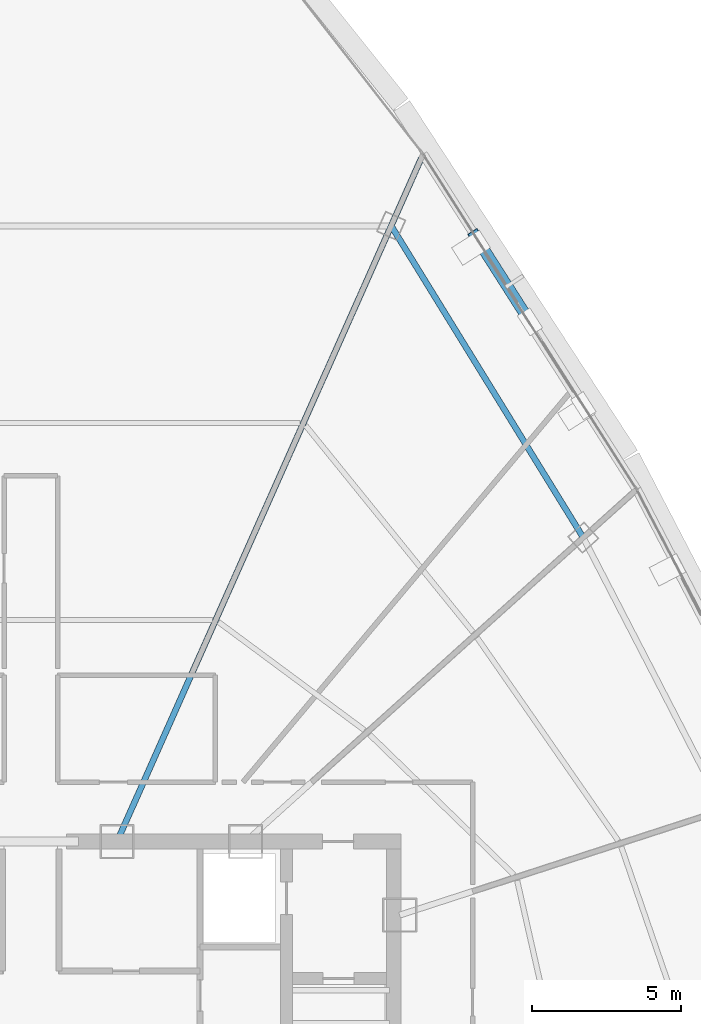
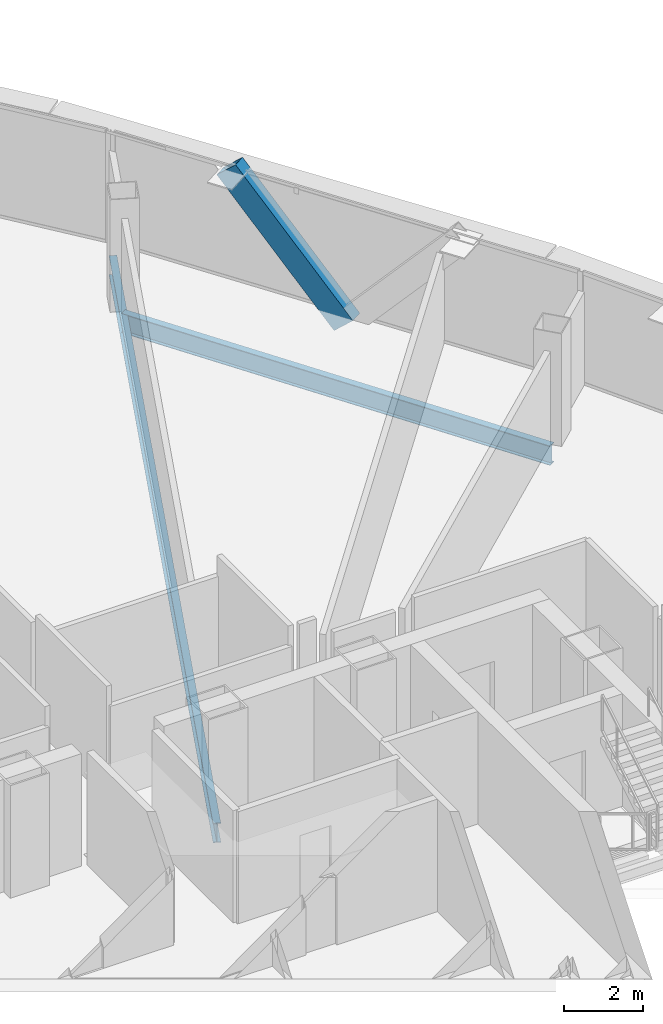
# One storey, part 25 of 39: 2 beams, 1 member.
"""IFC4 building model written with IfcOpenShell, lengths in metres."""

import ifcopenshell
import ifcopenshell.guid

model = None  # the IFC model being written
_history = None  # IfcOwnerHistory: only IFC2X3 demands one
_inside = {}  # id of a spatial element -> (the spatial element, [elements in it])
_under = {}  # id of a project, library or spatial element -> (it, [spatial elements below it])
_declared = {}  # id of a project -> (the project, [libraries it declares])
_typed = {}  # id of a type object -> (the type object, [elements of that type])
_made_of = {}  # id of a material, layer set ... -> (it, [elements and type objects made of it])


def new_model(schema):
    """Start an empty IFC model of exactly this schema.

    Asked for "IFC4X3", IfcOpenShell would pick the latest addendum, in which some entities
    have other attributes; the version numbers below select the first issue.
    IFC2X3 requires an IfcOwnerHistory on every rooted entity: one is made here for all.
    """
    global model, _history
    if schema == "IFC4X3":
        model = ifcopenshell.file(schema_version=(4, 3, 0, 0))
    else:
        model = ifcopenshell.file(schema=schema)
    _inside.clear()
    _under.clear()
    _declared.clear()
    _typed.clear()
    _made_of.clear()
    _history = None
    if model.schema == "IFC2X3":
        org = make("IfcOrganization", Name="unknown")
        user = make(
            "IfcPersonAndOrganization",
            ThePerson=make("IfcPerson", FamilyName="unknown"),
            TheOrganization=org,
        )
        app = make(
            "IfcApplication",
            ApplicationDeveloper=org,
            Version="unknown",
            ApplicationFullName="unknown",
            ApplicationIdentifier="unknown",
        )
        _history = make(
            "IfcOwnerHistory",
            OwningUser=user,
            OwningApplication=app,
            ChangeAction="ADDED",
            CreationDate=0,
        )
    return model


def make(cls, **values):
    """One entity of the class cls with the attributes given. An attribute that is None is left unset."""
    return model.create_entity(
        cls, **{name: value for name, value in values.items() if value is not None}
    )


def rooted(cls, **values):
    """An entity with a GlobalId (a new one), such as an element, a storey or a relation."""
    return make(cls, GlobalId=ifcopenshell.guid.new(), OwnerHistory=_history, **values)


def si_unit(unit_type, name, prefix=None):
    """IfcSIUnit, for example si_unit("LENGTHUNIT", "METRE", prefix="MILLI")."""
    return make("IfcSIUnit", UnitType=unit_type, Prefix=prefix, Name=name)


def assignment(units):
    """IfcUnitAssignment: the units of a project."""
    return None if units is None else make("IfcUnitAssignment", Units=units)


def point(xyz):
    """IfcCartesianPoint."""
    return None if xyz is None else make("IfcCartesianPoint", Coordinates=xyz)


def direction(xyz):
    """IfcDirection."""
    return None if xyz is None else make("IfcDirection", DirectionRatios=xyz)


def frame(location, z_axis=None, x_axis=None):
    """IfcAxis2Placement3D, a coordinate frame: its origin and axes. An axis left out is left unset."""
    return make(
        "IfcAxis2Placement3D",
        Location=point(location),
        Axis=direction(z_axis),
        RefDirection=direction(x_axis),
    )


def frame_2d(location, x_axis=None):
    """IfcAxis2Placement2D, a coordinate frame in the plane: its origin and x axis."""
    return make(
        "IfcAxis2Placement2D", Location=point(location), RefDirection=direction(x_axis)
    )


def origin():
    """The frame at (0, 0, 0) with its axes left unset."""
    return frame((0.0, 0.0, 0.0))


def origin_2d():
    """The frame at (0, 0) in the plane with its x axis left unset."""
    return frame_2d((0.0, 0.0))


def place(relative_to, where):
    """IfcLocalPlacement: puts the frame where relative to a parent placement (None: the world)."""
    return make(
        "IfcLocalPlacement", PlacementRelTo=relative_to, RelativePlacement=where
    )


def context(
    kind, dimensions, precision=None, world=None, true_north=None, identifier=None
):
    """IfcGeometricRepresentationContext, for example the 3D "Model" context."""
    return make(
        "IfcGeometricRepresentationContext",
        ContextIdentifier=identifier,
        ContextType=kind,
        CoordinateSpaceDimension=dimensions,
        Precision=precision,
        WorldCoordinateSystem=world,
        TrueNorth=true_north,
    )


def subcontext(parent, identifier, kind, view, scale=None):
    """IfcGeometricRepresentationSubContext, for example "Body" below "Model"."""
    return make(
        "IfcGeometricRepresentationSubContext",
        ContextIdentifier=identifier,
        ContextType=kind,
        ParentContext=parent,
        TargetScale=scale,
        TargetView=view,
    )


def project(units=None, contexts=None):
    """IfcProject with its units and contexts."""
    return rooted(
        "IfcProject",
        Name="project",
        RepresentationContexts=contexts,
        UnitsInContext=assignment(units),
    )


def spatial(cls, under=None, at=None, **own):
    """A site, building, storey or space (cls), placed at a placement, below another one or the project."""
    s = rooted(cls, ObjectPlacement=at, **own)
    if under is not None:
        _under.setdefault(under.id(), (under, []))[1].append(s)
    return s


def profile(cls, at=None, kind="AREA", **sizes):
    """A parametric profile (cls). Its sizes go by their IFC names, for example OverallWidth=200.0."""
    return make(cls, ProfileType=kind, Position=at, **sizes)


def hollow_rectangle(**sizes):
    """IfcRectangleHollowProfileDef."""
    return profile("IfcRectangleHollowProfileDef", **sizes)


def i_section(**sizes):
    """IfcIShapeProfileDef."""
    return profile("IfcIShapeProfileDef", **sizes)


def extrude(swept, where, along, depth):
    """IfcExtrudedAreaSolid: the profile swept, set in the frame where, extruded along a direction by depth."""
    return make(
        "IfcExtrudedAreaSolid",
        SweptArea=swept,
        Position=where,
        ExtrudedDirection=direction(along),
        Depth=depth,
    )


def shape(context_of_items, identifier, shape_type, items):
    """IfcShapeRepresentation: the items that make up one representation, for example the "Body"."""
    return make(
        "IfcShapeRepresentation",
        ContextOfItems=context_of_items,
        RepresentationIdentifier=identifier,
        RepresentationType=shape_type,
        Items=items,
    )


def source(mapping_origin, context_of_items, identifier, shape_type, items):
    """IfcRepresentationMap: a shape defined once, which mapped items show again and again."""
    return make(
        "IfcRepresentationMap",
        MappingOrigin=mapping_origin,
        MappedRepresentation=shape(context_of_items, identifier, shape_type, items),
    )


def transform(
    local_origin,
    x_axis=None,
    y_axis=None,
    z_axis=None,
    scale=None,
    scale2=None,
    scale3=None,
    uniform=True,
):
    """IfcCartesianTransformationOperator3D, or its non-uniform kind. x_axis, y_axis, z_axis: its Axis1, 2, 3."""
    if uniform:
        return make(
            "IfcCartesianTransformationOperator3D",
            Axis1=direction(x_axis),
            Axis2=direction(y_axis),
            LocalOrigin=point(local_origin),
            Scale=scale,
            Axis3=direction(z_axis),
        )
    return make(
        "IfcCartesianTransformationOperator3DnonUniform",
        Axis1=direction(x_axis),
        Axis2=direction(y_axis),
        LocalOrigin=point(local_origin),
        Scale=scale,
        Axis3=direction(z_axis),
        Scale2=scale2,
        Scale3=scale3,
    )


def mapped(mapping_source, mapping_target):
    """IfcMappedItem: shows the shape of a source again, moved by a transform."""
    return make(
        "IfcMappedItem", MappingSource=mapping_source, MappingTarget=mapping_target
    )


def material(Name=None, Category=None):
    """IfcMaterial."""
    return make("IfcMaterial", Name=Name, Category=Category)


def material_profile(
    of_material, cross_section, Name=None, Category=None, Priority=None
):
    """IfcMaterialProfile: a cross section and its material."""
    return make(
        "IfcMaterialProfile",
        Name=Name,
        Material=of_material,
        Profile=cross_section,
        Priority=Priority,
        Category=Category,
    )


def profile_set(profiles, Name=None, composite=None):
    """IfcMaterialProfileSet."""
    return make(
        "IfcMaterialProfileSet",
        Name=Name,
        MaterialProfiles=profiles,
        CompositeProfile=composite,
    )


def made_of(thing, what):
    """Note that an element or type object is made of a material, layer set ...; save() writes the relation."""
    if what is not None:
        _made_of.setdefault(what.id(), (what, []))[1].append(thing)
    return thing


def type_object(cls, material=None, **own):
    """A type object (cls), such as IfcWallType, which elements share."""
    return made_of(rooted(cls, **own), material)


def element(
    cls,
    number,
    at=None,
    inside=None,
    cuts=None,
    type_object=None,
    material=None,
    context=None,
    identifier="Body",
    shape_type=None,
    held_by="IfcProductDefinitionShape",
    body=None,
    shapes=None,
    **own,
):
    """One element of the class cls, such as IfcWall. Its Tag is "e" and its number.

    at: its placement. inside: the storey or other place that contains it. cuts: it is an
    opening in that element (IfcRelVoidsElement). A single representation is given by context,
    identifier, shape_type and body (its items); several are given by shapes. held_by: the class
    of the entity that holds the representations. save() writes the other relations.
    """
    e = rooted(cls, Tag="e%d" % number, ObjectPlacement=at, **own)
    if body is not None:
        shapes = [shape(context, identifier, shape_type, body)]
    if shapes is not None:
        e.Representation = make(held_by, Representations=shapes)
    if inside is not None:
        _inside.setdefault(inside.id(), (inside, []))[1].append(e)
    if cuts is not None:
        rooted(
            "IfcRelVoidsElement", RelatingBuildingElement=cuts, RelatedOpeningElement=e
        )
    if type_object is not None:
        _typed.setdefault(type_object.id(), (type_object, []))[1].append(e)
    return made_of(e, material)


def aggregate(whole, parts):
    """IfcRelAggregates: a whole, such as a stair, and the parts it consists of."""
    return rooted("IfcRelAggregates", RelatingObject=whole, RelatedObjects=parts)


def save(model, path):
    """Write the relations noted so far, then the file.

    IfcRelAggregates (storeys below a building ...), IfcRelContainedInSpatialStructure (elements
    in a storey), IfcRelDefinesByType, IfcRelAssociatesMaterial and IfcRelDeclares: one each for
    every whole, place, type object, material and project.
    """
    for whole, parts in _under.values():
        aggregate(whole, parts)
    for where, things in _inside.values():
        rooted(
            "IfcRelContainedInSpatialStructure",
            RelatedElements=things,
            RelatingStructure=where,
        )
    for kind, things in _typed.values():
        rooted("IfcRelDefinesByType", RelatedObjects=things, RelatingType=kind)
    for what, things in _made_of.values():
        rooted("IfcRelAssociatesMaterial", RelatedObjects=things, RelatingMaterial=what)
    for by, libraries in _declared.values():
        rooted("IfcRelDeclares", RelatingContext=by, RelatedDefinitions=libraries)
    model.write(path)


model = new_model("IFC4")

# Units and contexts
model_context = context("Model", 3, precision=1e-05, world=origin(), true_north=direction((0.0, 1.0)))
body_context = subcontext(model_context, "Body", "Model", "MODEL_VIEW")
ifc_project = project(units=[si_unit("LENGTHUNIT", "METRE"), si_unit("AREAUNIT", "SQUARE_METRE"), si_unit("VOLUMEUNIT", "CUBIC_METRE"), si_unit("PLANEANGLEUNIT", "RADIAN"), si_unit("MASSUNIT", "GRAM", prefix="KILO"), si_unit("THERMODYNAMICTEMPERATUREUNIT", "KELVIN"), si_unit("POWERUNIT", "WATT")], contexts=[model_context])

# Site, building, storey
site_placement = place(None, origin())
site = spatial("IfcSite", under=ifc_project, at=site_placement, CompositionType="ELEMENT")
building_placement = place(site_placement, origin())
building = spatial("IfcBuilding", under=site, at=building_placement, Name="Yunzhuo Pagoda Commons", CompositionType="ELEMENT")
storey_placement = place(building_placement, frame((0.0, 0.0, 296.2099609375)))
storey = spatial("IfcBuildingStorey", under=building, at=storey_placement, Name="L74", CompositionType="ELEMENT", Elevation=296.2099609375)

# Beams
ifc_material = material(Name="Structural steel Q355B", Category="steel")
ifc_material_profile_1 = material_profile(ifc_material, i_section(OverallWidth=0.199951171875, OverallDepth=0.60009765625, WebThickness=0.010986328125, FlangeThickness=0.01708984375, at=origin_2d()), Name="Structural steel Q355B")
ifc_profile_set_1 = profile_set([ifc_material_profile_1], Name="Structural steel Q355B")
beam_type = type_object("IfcBeamType", Name="B-RG3 Beam HN 600x200x11x17", PredefinedType="BEAM", material=ifc_profile_set_1)
shared_shape_1 = source(origin(), body_context, "Body", "SweptSolid", [
    extrude(i_section(OverallWidth=0.199951171875, OverallDepth=0.60009765625, WebThickness=0.010986328125, FlangeThickness=0.01708984375, at=origin_2d()), origin(), (0.0, 0.0, 1.0), 12.315185546875),
])
beam_1_placement = place(storey_placement, frame((66.5732421875, 50.423583984375, -0.56005859375), z_axis=(-0.524469015689, 0.851429534126, 0.0), x_axis=(-0.851429534126, -0.524469015689, 0.0)))
element("IfcBeam", 1, at=beam_1_placement, inside=storey, type_object=beam_type, Name="L74 column-ring beam 7", PredefinedType="BEAM", context=body_context, shape_type="MappedRepresentation", body=[
    mapped(shared_shape_1, transform((0.0, 0.0, 0.0), scale=1.0)),
])
shared_shape_2 = source(origin(), body_context, "Body", "SweptSolid", [
    extrude(i_section(OverallWidth=0.199951171875, OverallDepth=0.60009765625, WebThickness=0.010986328125, FlangeThickness=0.01708984375, at=origin_2d()), origin(), (0.0, 0.0, 1.0), 25.15283203125),
])
beam_2_placement = place(storey_placement, frame((61.12451171875, 63.17822265625, -0.56005859375), z_axis=(-0.40673276589, -0.913547183867, 0.0), x_axis=(0.913547183867, -0.40673276589, 0.0)))
element("IfcBeam", 2, at=beam_2_placement, inside=storey, type_object=beam_type, Name="L74 radial floor girder F2C4", PredefinedType="BEAM", context=body_context, shape_type="MappedRepresentation", body=[
    mapped(shared_shape_2, transform((0.0, 0.0, 0.0), scale=1.0)),
])

# Member
ifc_material_profile_2 = material_profile(ifc_material, hollow_rectangle(XDim=0.3798828125, YDim=0.719970703125, WallThickness=0.02001953125, at=origin_2d()), Name="Structural steel Q355B")
ifc_profile_set_2 = profile_set([ifc_material_profile_2], Name="Structural steel Q355B")
member_type = type_object("IfcMemberType", Name="M-DL3 Brace BOX 720x380x20", PredefinedType="BRACE", material=ifc_profile_set_2)
shared_shape_3 = source(origin(), body_context, "Body", "SweptSolid", [
    extrude(hollow_rectangle(XDim=0.3798828125, YDim=0.719970703125, WallThickness=0.02001953125, at=origin_2d()), origin(), (0.0, 0.0, 1.0), 5.008544921875),
])
member_placement = place(storey_placement, frame((64.780029296875, 57.681640625, -0.260009765625), z_axis=(-0.358611081243, 0.562849280292, 0.744713891427), x_axis=(-0.843366631896, -0.537338556409, 0.0)))
element("IfcMember", 3, at=member_placement, inside=storey, type_object=member_type, Name="L74 facade diamond brace F2.3R", PredefinedType="BRACE", context=body_context, shape_type="MappedRepresentation", body=[
    mapped(shared_shape_3, transform((0.0, 0.0, 0.0), scale=1.0)),
])

save(model, "model.ifc")
